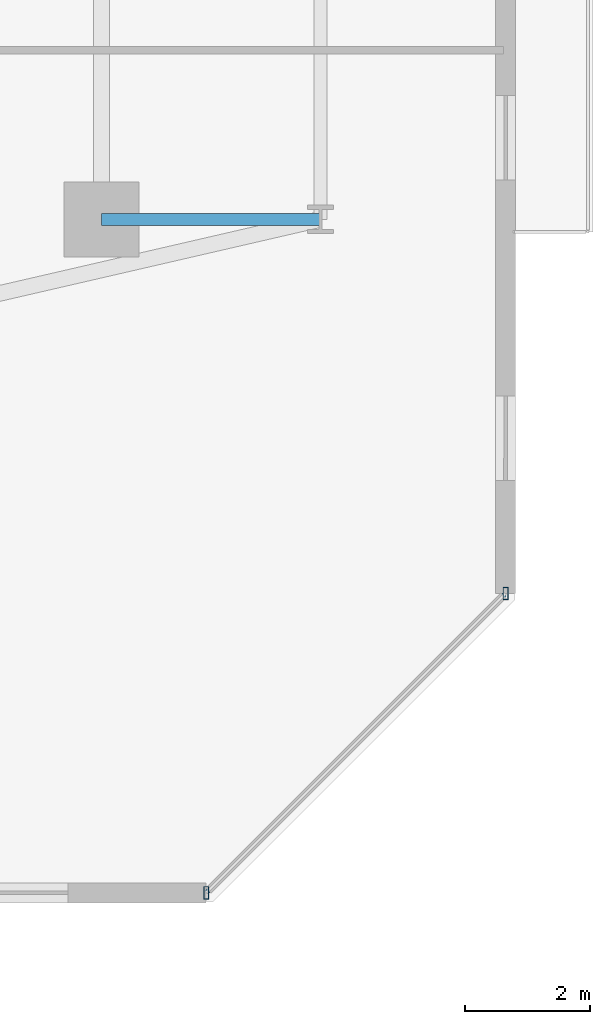
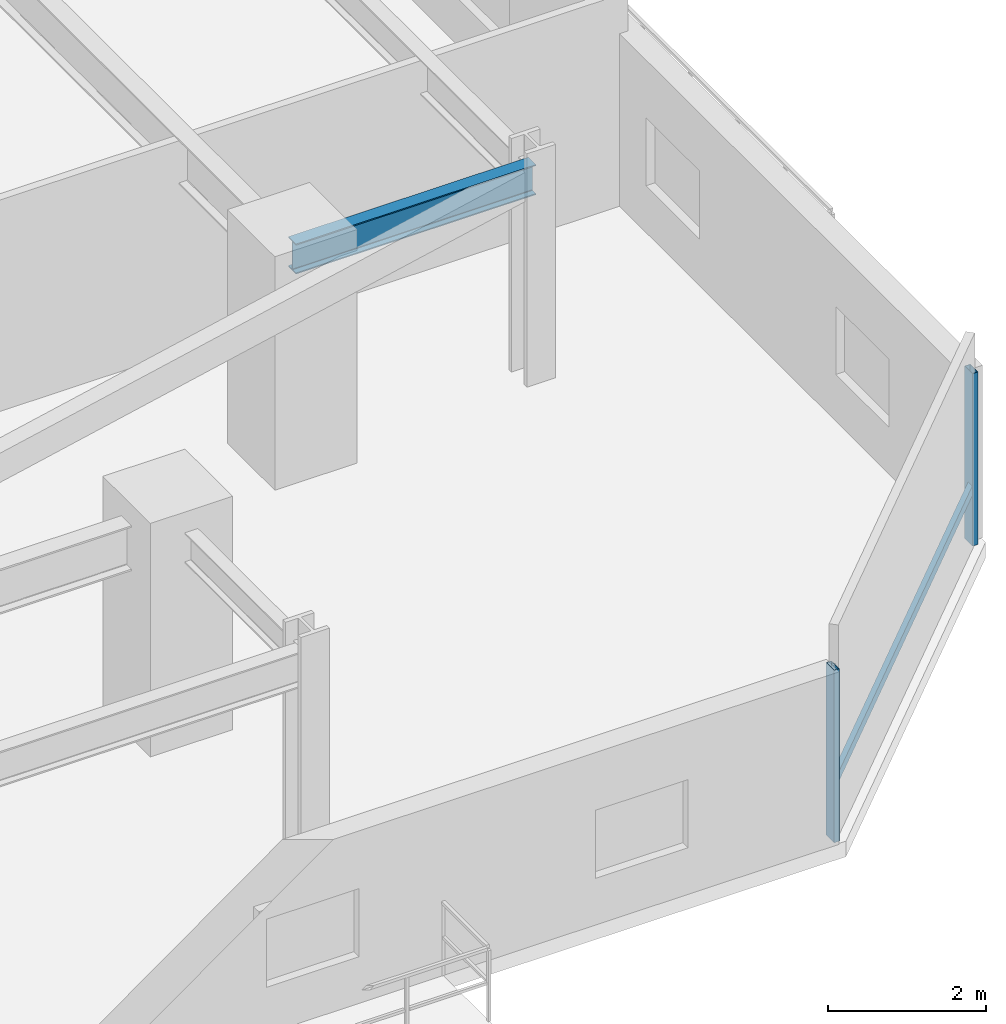
# One storey, part 12 of 34: 3 members, 1 beam, 1 element without a shape of its own.
"""IFC4 building model written with IfcOpenShell, lengths in metres."""

from ifc_helpers import new_model, si_unit, direction, frame, origin, origin_2d, place, context, subcontext, project, spatial, hollow_rectangle, i_section, extrude, material, material_profile, profile_set, type_object, element, aggregate, save


model = new_model("IFC4")

# Units and contexts
model_context = context("Model", 3, precision=1e-05, world=origin(), true_north=direction((0.0, 1.0)))
body_context = subcontext(model_context, "Body", "Model", "MODEL_VIEW")
ifc_project = project(units=[si_unit("LENGTHUNIT", "METRE"), si_unit("AREAUNIT", "SQUARE_METRE"), si_unit("VOLUMEUNIT", "CUBIC_METRE"), si_unit("PLANEANGLEUNIT", "RADIAN"), si_unit("MASSUNIT", "GRAM", prefix="KILO")], contexts=[model_context])

# Site, building, storey
site_placement = place(None, origin())
site = spatial("IfcSite", under=ifc_project, at=site_placement, CompositionType="ELEMENT")
building_placement = place(site_placement, origin())
building = spatial("IfcBuilding", under=site, at=building_placement, Name="Thornwick Lancets Civic Towers", CompositionType="ELEMENT")
storey_placement = place(building_placement, frame((0.0, 0.0, 137.699951171875)))
storey = spatial("IfcBuildingStorey", under=building, at=storey_placement, Name="L36", CompositionType="ELEMENT", Elevation=137.699951171875)

# Beam
ifc_material_1 = material(Name="Steel S355JR", Category="steel")
ifc_material_profile_1 = material_profile(ifc_material_1, i_section(OverallWidth=0.19189453125, OverallDepth=0.46337890625, WebThickness=0.010498046875, FlangeThickness=0.017578125, FilletRadius=0.01025390625, at=origin_2d()), Name="UKB 457x191x89")
ifc_profile_set_1 = profile_set([ifc_material_profile_1], Name="Steel S355JR")
beam_type = type_object("IfcBeamType", Name="BM_JOIST_457_89", PredefinedType="JOIST", material=ifc_profile_set_1)
beam_placement = place(storey_placement, frame((105.800048828125, 14.0, 3.04833984375), z_axis=(1.0, 0.0, 0.0), x_axis=(0.0, 1.0, 0.0)))
element("IfcBeam", 1, at=beam_placement, inside=storey, type_object=beam_type, Name="BM-RAD-L36-B01", PredefinedType="JOIST", context=body_context, shape_type="SweptSolid", body=[
    extrude(i_section(OverallWidth=0.19189453125, OverallDepth=0.46337890625, WebThickness=0.010498046875, FlangeThickness=0.017578125, FilletRadius=0.01025390625, at=origin_2d()), origin(), (0.0, 0.0, 1.0), 3.5),
])

# Curtain wall, members
ifc_material_2 = material(Name="Mid-zone chamfered-corner unitised glass curtain wall", Category="glass")
curtain_wall_type = type_object("IfcCurtainWallType", Name="CW_SYS_04", PredefinedType="NOTDEFINED", material=ifc_material_2)
curtain_wall_placement = place(storey_placement, origin())
curtain_wall = element("IfcCurtainWall", 2, at=curtain_wall_placement, inside=storey, type_object=curtain_wall_type, Name="L36 Curtain Wall CW-L36-B-E1", PredefinedType="NOTDEFINED")
ifc_material_3 = material(Name="Thermally broken bronze aluminium S355", Category="steel")
ifc_material_profile_2 = material_profile(ifc_material_3, hollow_rectangle(XDim=0.080078125, YDim=0.199951171875, WallThickness=0.006103515625, at=origin_2d()), Name="RHS 200x80x6")
ifc_profile_set_2 = profile_set([ifc_material_profile_2], Name="Thermally broken bronze aluminium S355")
member_type_1 = type_object("IfcMemberType", Name="CW_MUL_200", PredefinedType="MULLION", material=ifc_profile_set_2)
member_1_placement = place(storey_placement, frame((107.47509765625, 3.24267578125, 0.0), z_axis=(0.0, 0.0, 1.0), x_axis=(1.0, 0.0, 0.0)))
member_1 = element("IfcMember", 3, at=member_1_placement, type_object=member_type_1, Name="CW-L36-B-E1 Mullion 0", PredefinedType="MULLION", context=body_context, shape_type="SweptSolid", body=[
    extrude(hollow_rectangle(XDim=0.080078125, YDim=0.199951171875, WallThickness=0.006103515625, at=origin_2d()), origin(), (0.0, 0.0, 1.0), 2.66015625),
])
member_2_placement = place(storey_placement, frame((112.25732421875, 8.02490234375, 0.0), z_axis=(0.0, 0.0, 1.0), x_axis=(1.0, 0.0, 0.0)))
member_2 = element("IfcMember", 4, at=member_2_placement, type_object=member_type_1, Name="CW-L36-B-E1 Mullion 1", PredefinedType="MULLION", context=body_context, shape_type="SweptSolid", body=[
    extrude(hollow_rectangle(XDim=0.080078125, YDim=0.199951171875, WallThickness=0.006103515625, at=origin_2d()), origin(), (0.0, 0.0, 1.0), 2.66015625),
])
ifc_material_profile_3 = material_profile(ifc_material_3, hollow_rectangle(XDim=0.074951171875, YDim=0.14990234375, WallThickness=0.0048828125, at=origin_2d()), Name="RHS 150x75x5")
ifc_profile_set_3 = profile_set([ifc_material_profile_3], Name="Thermally broken bronze aluminium S355")
member_type_2 = type_object("IfcMemberType", Name="CW_TRN_150", PredefinedType="USERDEFINED", material=ifc_profile_set_3)
member_3_placement = place(storey_placement, frame((107.4892578125, 3.256591796875, 0.85009765625), z_axis=(0.707106781187, 0.707106781187, 0.0), x_axis=(-0.707106781187, 0.707106781187, 0.0)))
member_3 = element("IfcMember", 5, at=member_3_placement, type_object=member_type_2, Name="CW-L36-B-E1 Transom 0", ObjectType="TRANSOM", PredefinedType="USERDEFINED", context=body_context, shape_type="SweptSolid", body=[
    extrude(hollow_rectangle(XDim=0.074951171875, YDim=0.14990234375, WallThickness=0.0048828125, at=origin_2d()), origin(), (0.0, 0.0, 1.0), 6.723388671875),
])
aggregate(curtain_wall, [member_1, member_2, member_3])

save(model, "model.ifc")
